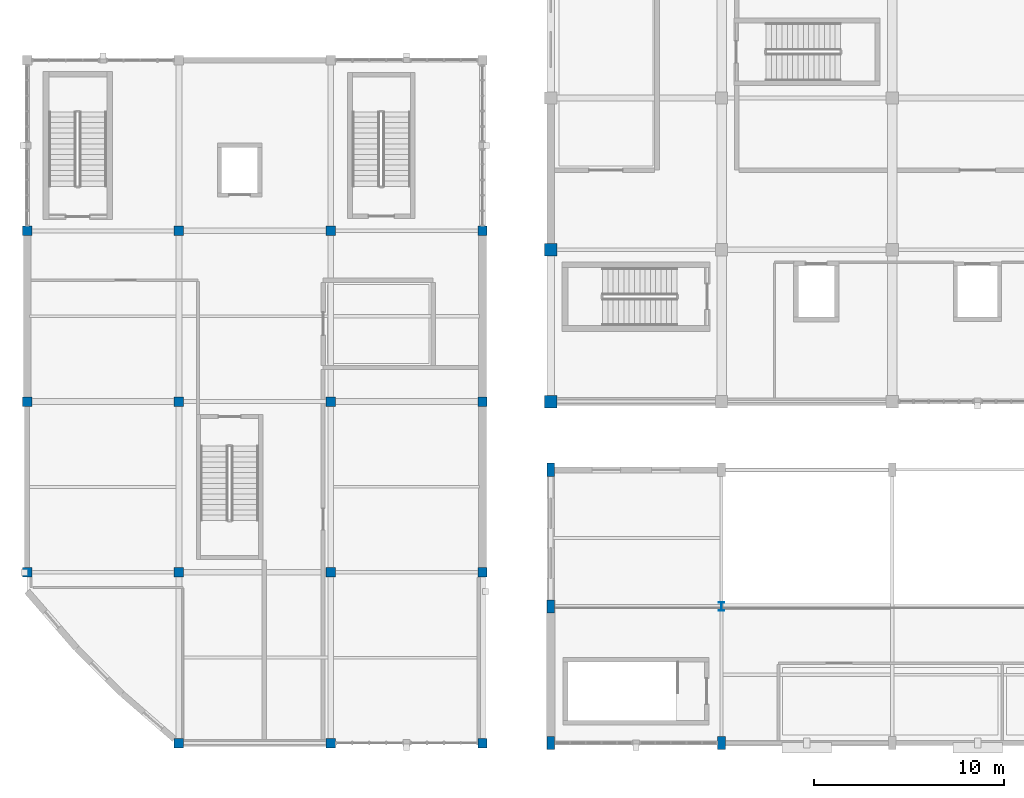
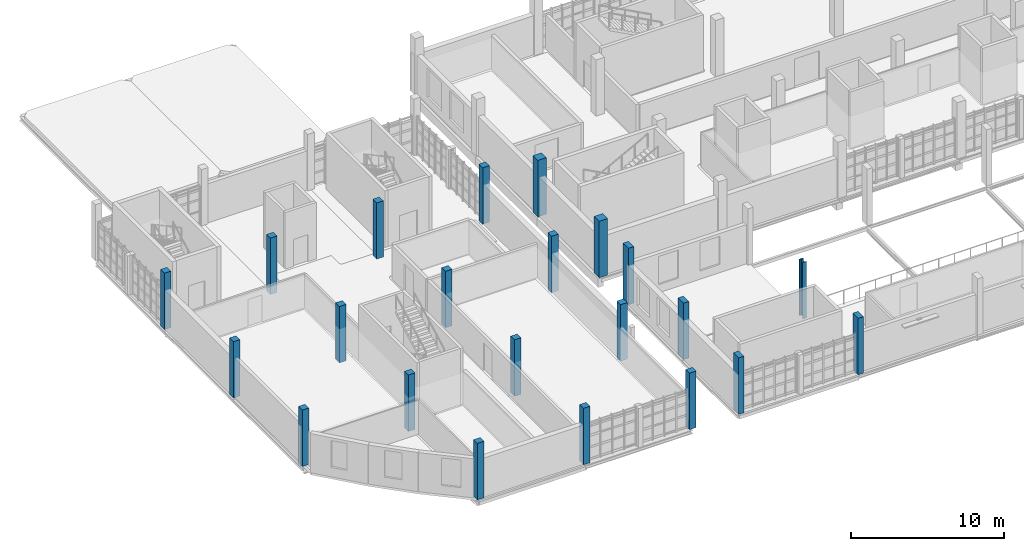
# One storey, part 3 of 125: 22 columns.
"""IFC4 building model written with IfcOpenShell, lengths in metres."""

from ifc_helpers import new_model, si_unit, direction, frame, origin, origin_2d, place, context, subcontext, project, spatial, rectangle, i_section, extrude, material, material_profile, profile_set, type_object, element, save


model = new_model("IFC4")

# Units and contexts
model_context = context("Model", 3, precision=1e-05, world=origin(), true_north=direction((0.0, 1.0)))
body_context = subcontext(model_context, "Body", "Model", "MODEL_VIEW")
ifc_project = project(units=[si_unit("LENGTHUNIT", "METRE"), si_unit("AREAUNIT", "SQUARE_METRE"), si_unit("VOLUMEUNIT", "CUBIC_METRE"), si_unit("PLANEANGLEUNIT", "RADIAN"), si_unit("MASSUNIT", "GRAM", prefix="KILO")], contexts=[model_context])

# Site, building, storey
site_placement = place(None, origin())
site = spatial("IfcSite", under=ifc_project, at=site_placement, CompositionType="ELEMENT")
building_placement = place(site_placement, origin())
building = spatial("IfcBuilding", under=site, at=building_placement, Name="Serraforn Aerial Cableway Station", CompositionType="ELEMENT")
storey_placement = place(building_placement, frame((0.0, 0.0, 4.5)))
storey = spatial("IfcBuildingStorey", under=building, at=storey_placement, Name="L01", CompositionType="ELEMENT", Elevation=4.5)

# Columns
ifc_material_1 = material(Name="Concrete C35/45", Category="concrete")
ifc_material_profile_1 = material_profile(ifc_material_1, rectangle(XDim=0.39990234375, YDim=0.699951171875, at=origin_2d()), Name="RC 400x700")
ifc_profile_set_1 = profile_set([ifc_material_profile_1], Name="Concrete C35/45")
column_type_1 = type_object("IfcColumnType", Name="COL-RC-400x700", PredefinedType="COLUMN", material=ifc_profile_set_1)
for number, where, z_axis, x_axis, name in (
    (1, (27.60009765625, 0.0, 0.0), (0.0, 0.0, 1.0), (1.0, 0.0, 0.0), "Column CF L01 5-A"),
    (2, (27.60009765625, 7.199951171875, 0.0), (0.0, 0.0, 1.0), (1.0, 0.0, 0.0), "Column CF L01 5-B1"),
    (3, (27.60009765625, 14.39990234375, 0.0), (0.0, 0.0, 1.0), (1.0, 0.0, 0.0), "Column CF L01 5-B2"),
    (4, (36.60009765625, 0.0, 0.0), (0.0, 0.0, 1.0), (1.0, 0.0, 0.0), "Column CF L01 6-A"),
):
    element("IfcColumn", number, at=place(storey_placement, frame(where, z_axis=z_axis, x_axis=x_axis)), inside=storey, type_object=column_type_1, Name=name, PredefinedType="COLUMN", context=body_context, shape_type="SweptSolid", body=[
        extrude(rectangle(XDim=0.39990234375, YDim=0.699951171875, at=origin_2d()), origin(), (0.0, 0.0, 1.0), 4.5),
    ])
ifc_material_profile_2 = material_profile(ifc_material_1, rectangle(XDim=0.5, YDim=0.5, at=origin_2d()), Name="RC 500x500")
ifc_profile_set_2 = profile_set([ifc_material_profile_2], Name="Concrete C35/45")
column_type_2 = type_object("IfcColumnType", Name="COL-RC-500", PredefinedType="COLUMN", material=ifc_profile_set_2)
for number, where, z_axis, x_axis, name in (
    (5, (8.0, 9.0, 0.0), (0.0, 0.0, 1.0), (1.0, 0.0, 0.0), "Column W L01 2-B"),
    (6, (8.0, 18.0, 0.0), (0.0, 0.0, 1.0), (1.0, 0.0, 0.0), "Column W L01 2-C"),
    (7, (8.0, 27.0, 0.0), (0.0, 0.0, 1.0), (1.0, 0.0, 0.0), "Column W L01 2-D"),
    (8, (16.0, 9.0, 0.0), (0.0, 0.0, 1.0), (1.0, 0.0, 0.0), "Column W L01 3-B"),
    (9, (16.0, 18.0, 0.0), (0.0, 0.0, 1.0), (1.0, 0.0, 0.0), "Column W L01 3-C"),
    (10, (16.0, 27.0, 0.0), (0.0, 0.0, 1.0), (1.0, 0.0, 0.0), "Column W L01 3-D"),
):
    element("IfcColumn", number, at=place(storey_placement, frame(where, z_axis=z_axis, x_axis=x_axis)), inside=storey, type_object=column_type_2, Name=name, PredefinedType="COLUMN", context=body_context, shape_type="SweptSolid", body=[
        extrude(rectangle(XDim=0.5, YDim=0.5, at=origin_2d()), origin(), (0.0, 0.0, 1.0), 4.5),
    ])
ifc_material_profile_3 = material_profile(ifc_material_1, rectangle(XDim=0.5, YDim=0.5, at=origin_2d()), Name="RC 500x500")
ifc_profile_set_3 = profile_set([ifc_material_profile_3], Name="Concrete C35/45")
column_type_3 = type_object("IfcColumnType", Name="COL-RC-500E", PredefinedType="COLUMN", material=ifc_profile_set_3)
for number, where, z_axis, x_axis, name in (
    (11, (0.0, 9.0, 0.0), (0.0, 0.0, 1.0), (1.0, 0.0, 0.0), "Column W L01 1-B"),
    (12, (0.0, 18.0, 0.0), (0.0, 0.0, 1.0), (1.0, 0.0, 0.0), "Column W L01 1-C"),
    (13, (0.0, 27.0, 0.0), (0.0, 0.0, 1.0), (1.0, 0.0, 0.0), "Column W L01 1-D"),
    (14, (8.0, 0.0, 0.0), (0.0, 0.0, 1.0), (1.0, 0.0, 0.0), "Column W L01 2-A"),
    (15, (16.0, 0.0, 0.0), (0.0, 0.0, 1.0), (1.0, 0.0, 0.0), "Column W L01 3-A"),
    (16, (24.0, 0.0, 0.0), (0.0, 0.0, 1.0), (1.0, 0.0, 0.0), "Column W L01 4-A"),
    (17, (24.0, 9.0, 0.0), (0.0, 0.0, 1.0), (1.0, 0.0, 0.0), "Column W L01 4-B"),
    (18, (24.0, 18.0, 0.0), (0.0, 0.0, 1.0), (1.0, 0.0, 0.0), "Column W L01 4-C"),
    (19, (24.0, 27.0, 0.0), (0.0, 0.0, 1.0), (1.0, 0.0, 0.0), "Column W L01 4-D"),
):
    element("IfcColumn", number, at=place(storey_placement, frame(where, z_axis=z_axis, x_axis=x_axis)), inside=storey, type_object=column_type_3, Name=name, PredefinedType="COLUMN", context=body_context, shape_type="SweptSolid", body=[
        extrude(rectangle(XDim=0.5, YDim=0.5, at=origin_2d()), origin(), (0.0, 0.0, 1.0), 4.5),
    ])
ifc_material_profile_4 = material_profile(ifc_material_1, rectangle(XDim=0.64990234375, YDim=0.64990234375, at=origin_2d()), Name="RC 650x650")
ifc_profile_set_4 = profile_set([ifc_material_profile_4], Name="Concrete C35/45")
column_type_4 = type_object("IfcColumnType", Name="COL-RC-650E", PredefinedType="COLUMN", material=ifc_profile_set_4)
for number, where, z_axis, x_axis, name in (
    (20, (27.60009765625, 18.0, 0.0), (0.0, 0.0, 1.0), (1.0, 0.0, 0.0), "Column CV L01 5-C"),
    (21, (27.60009765625, 26.0, 0.0), (0.0, 0.0, 1.0), (1.0, 0.0, 0.0), "Column CV L01 5-D1"),
):
    element("IfcColumn", number, at=place(storey_placement, frame(where, z_axis=z_axis, x_axis=x_axis)), inside=storey, type_object=column_type_4, Name=name, PredefinedType="COLUMN", context=body_context, shape_type="SweptSolid", body=[
        extrude(rectangle(XDim=0.64990234375, YDim=0.64990234375, at=origin_2d()), origin(), (0.0, 0.0, 1.0), 4.5),
    ])
ifc_material_2 = material(Name="Steel S355J2", Category="steel")
ifc_material_profile_5 = material_profile(ifc_material_2, i_section(OverallWidth=0.300048828125, OverallDepth=0.449951171875, WebThickness=0.011474609375, FlangeThickness=0.02099609375, FilletRadius=0.027099609375, at=origin_2d()), Name="HEA 450")
ifc_profile_set_5 = profile_set([ifc_material_profile_5], Name="Steel S355J2")
column_type_5 = type_object("IfcColumnType", Name="COL-ST-HEA450", PredefinedType="COLUMN", material=ifc_profile_set_5)
column_placement = place(storey_placement, frame((36.60009765625, 7.199951171875, 0.0), z_axis=(0.0, 0.0, 1.0), x_axis=(1.0, 0.0, 0.0)))
element("IfcColumn", 22, at=column_placement, inside=storey, type_object=column_type_5, Name="Column CF L01 6-B1", PredefinedType="COLUMN", context=body_context, shape_type="SweptSolid", body=[
    extrude(i_section(OverallWidth=0.300048828125, OverallDepth=0.449951171875, WebThickness=0.011474609375, FlangeThickness=0.02099609375, FilletRadius=0.027099609375, at=origin_2d()), origin(), (0.0, 0.0, 1.0), 4.5),
])

save(model, "model.ifc")
